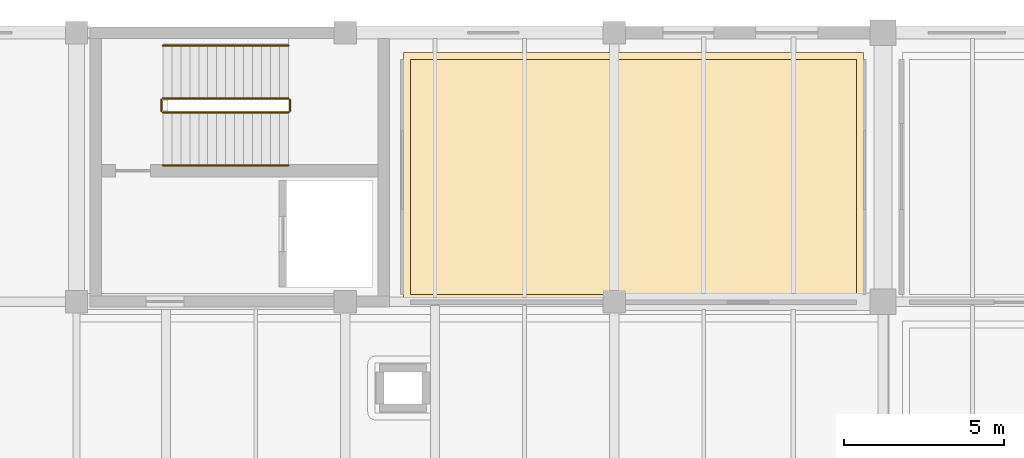
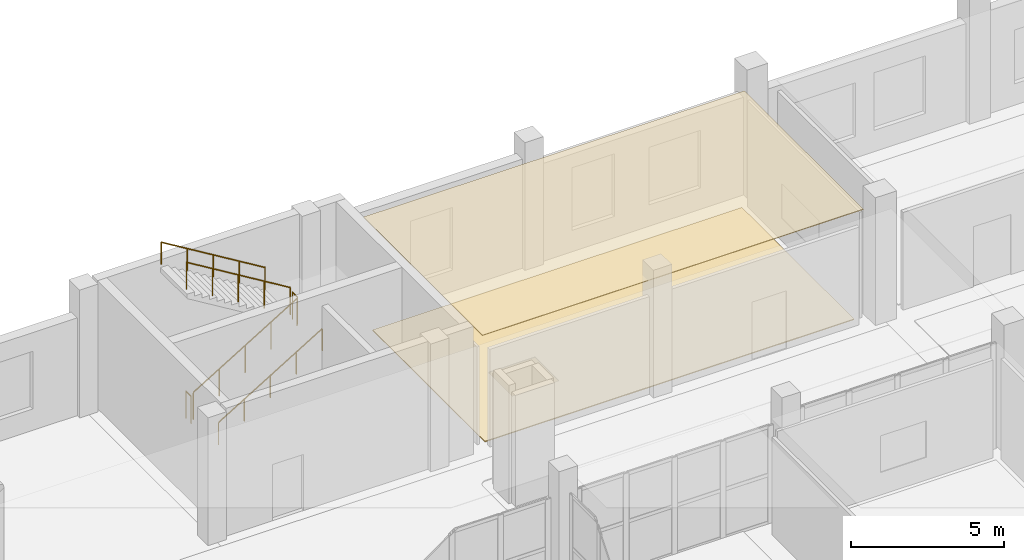
# One storey, part 71 of 73: 6 railings, 2 coverings.
"""IFC4 building model written with IfcOpenShell, lengths in metres."""

from ifc_helpers import new_model, si_unit, direction, frame, origin, origin_2d, place, context, subcontext, project, spatial, polyline, circle, outline, extrude, material, layer, layer_set, type_object, element, save


model = new_model("IFC4")

# Units and contexts
model_context = context("Model", 3, precision=1e-05, world=origin(), true_north=direction((0.0, 1.0)))
body_context = subcontext(model_context, "Body", "Model", "MODEL_VIEW")
ifc_project = project(units=[si_unit("LENGTHUNIT", "METRE"), si_unit("AREAUNIT", "SQUARE_METRE"), si_unit("VOLUMEUNIT", "CUBIC_METRE"), si_unit("PLANEANGLEUNIT", "RADIAN"), si_unit("MASSUNIT", "GRAM", prefix="KILO")], contexts=[model_context])

# Site, building, storey
site_placement = place(None, origin())
site = spatial("IfcSite", under=ifc_project, at=site_placement, CompositionType="ELEMENT")
building_placement = place(site_placement, origin())
building = spatial("IfcBuilding", under=site, at=building_placement, Name="Zulmaris Art Gallery", CompositionType="ELEMENT")
storey_placement = place(building_placement, frame((0.0, 0.0, 10.5)))
storey = spatial("IfcBuildingStorey", under=building, at=storey_placement, Name="L02", CompositionType="ELEMENT", Elevation=10.5)

# Coverings
ifc_material_1 = material(Name="Luminous UV-Diffusing Stretched Gallery Ceiling", Category="gypsum")
ifc_layer_1 = layer(ifc_material_1, 0.034912109375)
ifc_layer_set_1 = layer_set([ifc_layer_1], Name="Luminous UV-Diffusing Stretched Gallery Ceiling")
covering_type_1 = type_object("IfcCoveringType", Name="COV-CL02", PredefinedType="CEILING", material=ifc_layer_set_1)
covering_1_placement = place(storey_placement, frame((0.0, 0.0, 4.449951171875)))
element("IfcCovering", 1, at=covering_1_placement, inside=storey, type_object=covering_type_1, Name="Geometric Abstraction Gallery acoustic ceiling", PredefinedType="CEILING", context=body_context, shape_type="SweptSolid", body=[
    extrude(outline(polyline([(126.610107421875, 74.989990234375), (140.989990234375, 74.989990234375), (140.989990234375, 67.2099609375), (126.610107421875, 67.2099609375), (126.610107421875, 74.989990234375)])), origin(), (0.0, 0.0, 1.0), 0.030029296875),
])
ifc_material_2 = material(Name="Oiled European Oak Gallery Parquet Flooring", Category="timber")
ifc_layer_2 = layer(ifc_material_2, 0.030029296875)
ifc_layer_set_2 = layer_set([ifc_layer_2], Name="Oiled European Oak Gallery Parquet Flooring")
covering_type_2 = type_object("IfcCoveringType", Name="COV-FL02", PredefinedType="FLOORING", material=ifc_layer_set_2)
covering_2_placement = place(storey_placement, origin())
element("IfcCovering", 2, at=covering_2_placement, inside=storey, type_object=covering_type_2, Name="Geometric Abstraction Gallery finish flooring", PredefinedType="FLOORING", context=body_context, shape_type="SweptSolid", body=[
    extrude(outline(polyline([(140.77001953125, 67.429931640625), (126.830078125, 67.429931640625), (126.830078125, 74.77001953125), (140.77001953125, 74.77001953125), (140.77001953125, 67.429931640625)])), origin(), (0.0, 0.0, 1.0), 0.034912109375),
])

# Railings
ifc_material_3 = material(Name="Steel S355J2", Category="steel")
ifc_layer_3 = layer(ifc_material_3, 0.050048828125)
ifc_layer_set_3 = layer_set([ifc_layer_3], Name="Steel S355J2")
railing_type_1 = type_object("IfcRailingType", Name="RAIL-STGRD", PredefinedType="GUARDRAIL", material=ifc_layer_set_3)
railing_1_placement = place(storey_placement, frame((119.10009765625, 73.110107421875, 0.169921875)))
element("IfcRailing", 3, at=railing_1_placement, inside=storey, type_object=railing_type_1, Name="L02 ST5 stair guard 1", PredefinedType="GUARDRAIL", context=body_context, shape_type="SweptSolid", body=[
    extrude(circle(Radius=0.02392578125, at=origin_2d()), frame((0.0, 0.0, 1.076171875), z_axis=(0.854770645689, 0.0, 0.519005918337), x_axis=(0.0, 1.0, 0.0)), (0.0, 0.0, 1.0), 4.5859375),
    extrude(circle(Radius=0.02099609375, at=origin_2d()), origin(), (0.0, 0.0, 1.0), 1.052001953125),
    extrude(circle(Radius=0.02099609375, at=origin_2d()), frame((0.97998046875, 0.0, 0.594970703125)), (0.0, 0.0, 1.0), 1.052001953125),
    extrude(circle(Radius=0.02099609375, at=origin_2d()), frame((1.9599609375, 0.0, 1.18994140625)), (0.0, 0.0, 1.0), 1.052001953125),
    extrude(circle(Radius=0.02099609375, at=origin_2d()), frame((2.93994140625, 0.0, 1.78515625)), (0.0, 0.0, 1.0), 1.052001953125),
    extrude(circle(Radius=0.02099609375, at=origin_2d()), frame((3.919921875, 0.0, 2.380126953125)), (0.0, 0.0, 1.0), 1.052001953125),
])
railing_2_placement = place(storey_placement, frame((123.070068359375, 73.159912109375, 2.550048828125)))
element("IfcRailing", 4, at=railing_2_placement, inside=storey, type_object=railing_type_1, Name="L02 ST5 stair guard 2", PredefinedType="GUARDRAIL", context=body_context, shape_type="SweptSolid", body=[
    extrude(circle(Radius=0.02392578125, at=origin_2d()), frame((0.0, 0.0, 1.076171875), z_axis=(0.0, 1.0, 0.0), x_axis=(-1.0, 0.0, 0.0)), (0.0, 0.0, 1.0), 0.340087890625),
    extrude(circle(Radius=0.02099609375, at=origin_2d()), origin(), (0.0, 0.0, 1.0), 1.052001953125),
    extrude(circle(Radius=0.02099609375, at=origin_2d()), frame((0.0, 0.340087890625, 0.0)), (0.0, 0.0, 1.0), 1.052001953125),
])
railing_3_placement = place(storey_placement, frame((123.02001953125, 73.550048828125, 2.719970703125)))
element("IfcRailing", 5, at=railing_3_placement, inside=storey, type_object=railing_type_1, Name="L02 ST5 stair guard 3", PredefinedType="GUARDRAIL", context=body_context, shape_type="SweptSolid", body=[
    extrude(circle(Radius=0.02392578125, at=origin_2d()), frame((0.0, 0.0, 1.076171875), z_axis=(-0.854770645689, 0.0, 0.519005918337), x_axis=(0.0, -1.0, 0.0)), (0.0, 0.0, 1.0), 4.5859375),
    extrude(circle(Radius=0.02099609375, at=origin_2d()), origin(), (0.0, 0.0, 1.0), 1.052001953125),
    extrude(circle(Radius=0.02099609375, at=origin_2d()), frame((-0.97998046875, 0.0, 0.594970703125)), (0.0, 0.0, 1.0), 1.052001953125),
    extrude(circle(Radius=0.02099609375, at=origin_2d()), frame((-1.9599609375, 0.0, 1.18994140625)), (0.0, 0.0, 1.0), 1.052001953125),
    extrude(circle(Radius=0.02099609375, at=origin_2d()), frame((-2.93994140625, 0.0, 1.78515625)), (0.0, 0.0, 1.0), 1.052001953125),
    extrude(circle(Radius=0.02099609375, at=origin_2d()), frame((-3.919921875, 0.0, 2.380126953125)), (0.0, 0.0, 1.0), 1.052001953125),
])
railing_4_placement = place(storey_placement, frame((119.050048828125, 73.159912109375, 0.0)))
element("IfcRailing", 6, at=railing_4_placement, inside=storey, type_object=railing_type_1, Name="L02 ST5 stair guard 4", PredefinedType="GUARDRAIL", context=body_context, shape_type="SweptSolid", body=[
    extrude(circle(Radius=0.02392578125, at=origin_2d()), frame((0.0, 0.0, 1.076171875), z_axis=(0.0, 1.0, 0.0), x_axis=(-1.0, 0.0, 0.0)), (0.0, 0.0, 1.0), 0.340087890625),
    extrude(circle(Radius=0.02099609375, at=origin_2d()), origin(), (0.0, 0.0, 1.0), 1.052001953125),
    extrude(circle(Radius=0.02099609375, at=origin_2d()), frame((0.0, 0.340087890625, 0.0)), (0.0, 0.0, 1.0), 1.052001953125),
])
ifc_material_4 = material(Name="Brushed Bronze Handrail", Category="steel")
ifc_layer_4 = layer(ifc_material_4, 0.048095703125)
ifc_layer_set_4 = layer_set([ifc_layer_4], Name="Brushed Bronze Handrail")
railing_type_2 = type_object("IfcRailingType", Name="RAIL-STHND", PredefinedType="HANDRAIL", material=ifc_layer_set_4)
railing_5_placement = place(storey_placement, frame((119.10009765625, 71.4599609375, 0.169921875)))
element("IfcRailing", 7, at=railing_5_placement, inside=storey, type_object=railing_type_2, Name="L02 ST5 stair handrail 1", PredefinedType="HANDRAIL", context=body_context, shape_type="SweptSolid", body=[
    extrude(circle(Radius=0.02392578125, at=origin_2d()), frame((0.0, 0.0, 0.8759765625), z_axis=(0.854770645689, 0.0, 0.519005918337), x_axis=(0.0, 1.0, 0.0)), (0.0, 0.0, 1.0), 4.5859375),
    extrude(circle(Radius=0.02099609375, at=origin_2d()), origin(), (0.0, 0.0, 1.0), 0.851806640625),
    extrude(circle(Radius=0.02099609375, at=origin_2d()), frame((0.97998046875, 0.0, 0.594970703125)), (0.0, 0.0, 1.0), 0.851806640625),
    extrude(circle(Radius=0.02099609375, at=origin_2d()), frame((1.9599609375, 0.0, 1.18994140625)), (0.0, 0.0, 1.0), 0.851806640625),
    extrude(circle(Radius=0.02099609375, at=origin_2d()), frame((2.93994140625, 0.0, 1.78515625)), (0.0, 0.0, 1.0), 0.851806640625),
    extrude(circle(Radius=0.02099609375, at=origin_2d()), frame((3.919921875, 0.0, 2.380126953125)), (0.0, 0.0, 1.0), 0.851806640625),
])
railing_6_placement = place(storey_placement, frame((123.02001953125, 75.199951171875, 2.719970703125)))
element("IfcRailing", 8, at=railing_6_placement, inside=storey, type_object=railing_type_2, Name="L02 ST5 stair handrail 2", PredefinedType="HANDRAIL", context=body_context, shape_type="SweptSolid", body=[
    extrude(circle(Radius=0.02392578125, at=origin_2d()), frame((0.0, 0.0, 0.8759765625), z_axis=(-0.854770645689, 0.0, 0.519005918337), x_axis=(0.0, -1.0, 0.0)), (0.0, 0.0, 1.0), 4.5859375),
    extrude(circle(Radius=0.02099609375, at=origin_2d()), origin(), (0.0, 0.0, 1.0), 0.851806640625),
    extrude(circle(Radius=0.02099609375, at=origin_2d()), frame((-0.97998046875, 0.0, 0.594970703125)), (0.0, 0.0, 1.0), 0.851806640625),
    extrude(circle(Radius=0.02099609375, at=origin_2d()), frame((-1.9599609375, 0.0, 1.18994140625)), (0.0, 0.0, 1.0), 0.851806640625),
    extrude(circle(Radius=0.02099609375, at=origin_2d()), frame((-2.93994140625, 0.0, 1.78515625)), (0.0, 0.0, 1.0), 0.851806640625),
    extrude(circle(Radius=0.02099609375, at=origin_2d()), frame((-3.919921875, 0.0, 2.380126953125)), (0.0, 0.0, 1.0), 0.851806640625),
])

save(model, "model.ifc")
